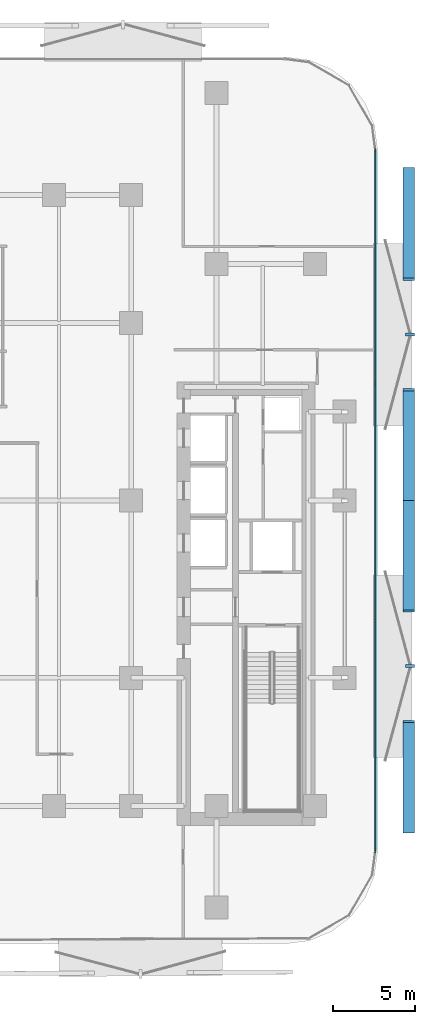
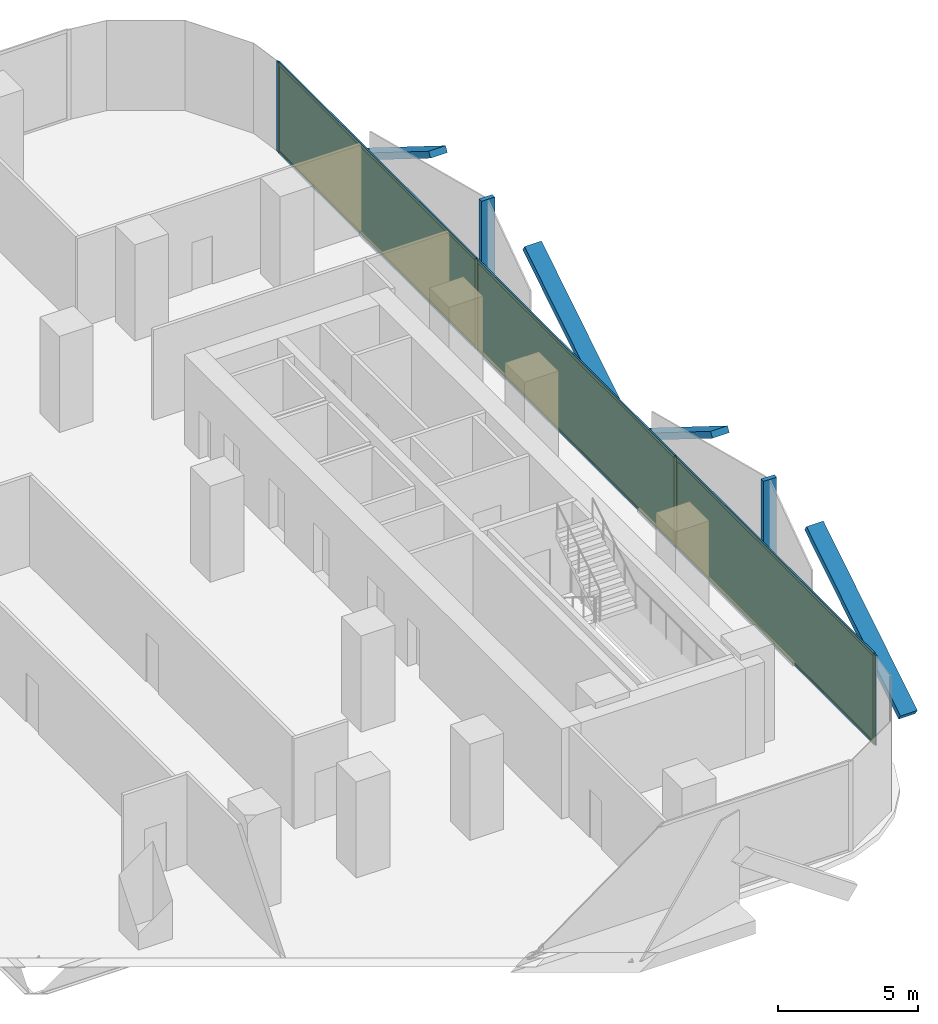
# One storey, part 8 of 14: 16 members, 3 plates, 1 curtain wall.
"""IFC4 building model written with IfcOpenShell, lengths in metres."""

from ifc_helpers import new_model, si_unit, direction, frame, frame_2d, origin, origin_2d, place, context, subcontext, project, spatial, rectangle, extrude, material, layer, layer_set, material_profile, profile_set, type_object, element, aggregate, save


model = new_model("IFC4")

# Units and contexts
model_context = context("Model", 3, precision=1e-05, world=origin(), true_north=direction((0.0, 1.0)))
body_context = subcontext(model_context, "Body", "Model", "MODEL_VIEW")
ifc_project = project(units=[si_unit("LENGTHUNIT", "METRE"), si_unit("AREAUNIT", "SQUARE_METRE"), si_unit("VOLUMEUNIT", "CUBIC_METRE"), si_unit("PLANEANGLEUNIT", "RADIAN"), si_unit("MASSUNIT", "GRAM", prefix="KILO")], contexts=[model_context])

# Member
ifc_material_1 = material(Name="Anodised Bronze Aluminium 6063-T6", Category="aluminium")
ifc_material_profile_1 = material_profile(ifc_material_1, rectangle(XDim=0.260009765625, YDim=0.699951171875, at=origin_2d()))
ifc_profile_set_1 = profile_set([ifc_material_profile_1], Name="Anodised Bronze Aluminium 6063-T6")
member_type_1 = type_object("IfcMemberType", Name="Bronze Diamond Solar-Screen Lattice Rib BDL-700", PredefinedType="MULLION", material=ifc_profile_set_1)
site_placement = place(None, origin())
building_placement = place(site_placement, origin())
storey_placement = place(building_placement, frame((0.0, 0.0, 63.800048828125)))
member_1_placement = place(storey_placement, frame((26.10009765625, 20.19091796875, -0.130126953125), z_axis=(0.0, -0.848357706665, 0.529423461458), x_axis=(0.0, -0.529423461458, -0.848357706665)))
member_1 = element("IfcMember", 1, at=member_1_placement, type_object=member_type_1, Name="L15 Bronze Diamond Solar Screen Lattice Rib 79A", PredefinedType="MULLION", context=body_context, shape_type="SweptSolid", body=[
    extrude(rectangle(XDim=0.260009765625, YDim=0.699951171875, at=origin_2d()), origin(), (0.0, 0.0, 1.0), 7.93359375),
])

member_2_placement = place(storey_placement, frame((26.10009765625, 0.0, -0.130126953125), z_axis=(0.0, 0.84834908091, 0.529437283273), x_axis=(0.0, 0.529437283273, -0.84834908091)))
member_2 = element("IfcMember", 2, at=member_2_placement, type_object=member_type_1, Name="L15 Bronze Diamond Solar Screen Lattice Rib 79B", PredefinedType="MULLION", context=body_context, shape_type="SweptSolid", body=[
    extrude(rectangle(XDim=0.260009765625, YDim=0.699951171875, at=origin_2d()), origin(), (0.0, 0.0, 1.0), 7.933349609375),
])

member_3_placement = place(storey_placement, frame((26.10009765625, 0.0, -0.130126953125), z_axis=(0.0, -0.84834908091, 0.529437283273), x_axis=(0.0, -0.529437283273, -0.84834908091)))
member_3 = element("IfcMember", 3, at=member_3_placement, type_object=member_type_1, Name="L15 Bronze Diamond Solar Screen Lattice Rib 80A", PredefinedType="MULLION", context=body_context, shape_type="SweptSolid", body=[
    extrude(rectangle(XDim=0.260009765625, YDim=0.699951171875, at=origin_2d()), origin(), (0.0, 0.0, 1.0), 7.933349609375),
])

member_4_placement = place(storey_placement, frame((26.10009765625, -20.19091796875, -0.130126953125), z_axis=(0.0, 0.848357706665, 0.529423461458), x_axis=(0.0, 0.529423461458, -0.848357706665)))
member_4 = element("IfcMember", 4, at=member_4_placement, type_object=member_type_1, Name="L15 Bronze Diamond Solar Screen Lattice Rib 80B", PredefinedType="MULLION", context=body_context, shape_type="SweptSolid", body=[
    extrude(rectangle(XDim=0.260009765625, YDim=0.699951171875, at=origin_2d()), origin(), (0.0, 0.0, 1.0), 7.93359375),
])

ifc_material_2 = material(Name="Anodised Bronze Aluminium 6063-T6", Category="aluminium")
ifc_material_profile_2 = material_profile(ifc_material_2, rectangle(XDim=0.179931640625, YDim=0.5400390625, at=origin_2d()))
ifc_profile_set_2 = profile_set([ifc_material_profile_2], Name="Anodised Bronze Aluminium 6063-T6")
member_type_2 = type_object("IfcMemberType", Name="Bronze Solar-Screen Vertical Fold Fin BSF-540", PredefinedType="MULLION", material=ifc_profile_set_2)
member_5_placement = place(storey_placement, frame((26.179931640625, 10.095458984375, -0.130126953125), z_axis=(0.0, 0.0, 1.0), x_axis=(0.0, -1.0, 0.0)))
member_5 = element("IfcMember", 5, at=member_5_placement, type_object=member_type_2, Name="L15 Bronze Solar Screen Vertical Fin 79", PredefinedType="MULLION", context=body_context, shape_type="SweptSolid", body=[
    extrude(rectangle(XDim=0.179931640625, YDim=0.5400390625, at=origin_2d()), origin(), (0.0, 0.0, 1.0), 4.2001953125),
])

member_6_placement = place(storey_placement, frame((26.179931640625, -10.095458984375, -0.130126953125), z_axis=(0.0, 0.0, 1.0), x_axis=(0.0, -1.0, 0.0)))
member_6 = element("IfcMember", 6, at=member_6_placement, type_object=member_type_2, Name="L15 Bronze Solar Screen Vertical Fin 80", PredefinedType="MULLION", context=body_context, shape_type="SweptSolid", body=[
    extrude(rectangle(XDim=0.179931640625, YDim=0.5400390625, at=origin_2d()), origin(), (0.0, 0.0, 1.0), 4.2001953125),
])

ifc_material_3 = material(Name="Anodised Bronze Aluminium 6063-T6", Category="aluminium")
ifc_material_profile_3 = material_profile(ifc_material_3, rectangle(XDim=0.06494140625, YDim=0.179931640625, at=origin_2d()))
ifc_profile_set_3 = profile_set([ifc_material_profile_3], Name="Anodised Bronze Aluminium 6063-T6")
member_type_3 = type_object("IfcMemberType", Name="CW-Z1 Mullion 65x180", PredefinedType="MULLION", material=ifc_profile_set_3)
member_7_placement = place(storey_placement, frame((24.06005859375, 21.3583984375, 0.0), z_axis=(0.0, 0.0, 1.0), x_axis=(1.0, 0.0, 0.0)))
member_7 = element("IfcMember", 7, at=member_7_placement, type_object=member_type_3, Name="CW-Z1 mullion 1", PredefinedType="MULLION", context=body_context, shape_type="SweptSolid", body=[
    extrude(rectangle(XDim=0.06494140625, YDim=0.179931640625, at=origin_2d()), origin(), (0.0, 0.0, 1.0), 3.93994140625),
])

member_8_placement = place(storey_placement, frame((24.06005859375, 7.13037109375, 0.0), z_axis=(0.0, 0.0, 1.0), x_axis=(1.0, 0.0, 0.0)))
member_8 = element("IfcMember", 8, at=member_8_placement, type_object=member_type_3, Name="CW-Z1 mullion 2", PredefinedType="MULLION", context=body_context, shape_type="SweptSolid", body=[
    extrude(rectangle(XDim=0.06494140625, YDim=0.179931640625, at=origin_2d()), origin(), (0.0, 0.0, 1.0), 3.93994140625),
])

member_9_placement = place(storey_placement, frame((24.06005859375, -7.13037109375, 0.0), z_axis=(0.0, 0.0, 1.0), x_axis=(1.0, 0.0, 0.0)))
member_9 = element("IfcMember", 9, at=member_9_placement, type_object=member_type_3, Name="CW-Z1 mullion 3", PredefinedType="MULLION", context=body_context, shape_type="SweptSolid", body=[
    extrude(rectangle(XDim=0.06494140625, YDim=0.179931640625, at=origin_2d()), origin(), (0.0, 0.0, 1.0), 3.93994140625),
])

member_10_placement = place(storey_placement, frame((24.06005859375, -21.3583984375, 0.0), z_axis=(0.0, 0.0, 1.0), x_axis=(1.0, 0.0, 0.0)))
member_10 = element("IfcMember", 10, at=member_10_placement, type_object=member_type_3, Name="CW-Z1 mullion 4", PredefinedType="MULLION", context=body_context, shape_type="SweptSolid", body=[
    extrude(rectangle(XDim=0.06494140625, YDim=0.179931640625, at=origin_2d()), origin(), (0.0, 0.0, 1.0), 3.93994140625),
])

ifc_material_4 = material(Name="Anodised Bronze Aluminium 6063-T6", Category="aluminium")
ifc_material_profile_4 = material_profile(ifc_material_4, rectangle(XDim=0.06494140625, YDim=0.139892578125, at=origin_2d()))
ifc_profile_set_4 = profile_set([ifc_material_profile_4], Name="Anodised Bronze Aluminium 6063-T6")
member_type_4 = type_object("IfcMemberType", Name="CW-Z1 Transom 65x140", PredefinedType="USERDEFINED", material=ifc_profile_set_4)
member_11_placement = place(storey_placement, frame((24.06005859375, 21.32568359375, 0.032470703125), z_axis=(0.0, -1.0, 0.0), x_axis=(1.0, 0.0, 0.0)))
member_11 = element("IfcMember", 11, at=member_11_placement, type_object=member_type_4, Name="CW-Z1 transom 1.1", ObjectType="TRANSOM", PredefinedType="USERDEFINED", context=body_context, shape_type="SweptSolid", body=[
    extrude(rectangle(XDim=0.06494140625, YDim=0.139892578125, at=origin_2d()), origin(), (0.0, 0.0, 1.0), 14.162841796875),
])

member_12_placement = place(storey_placement, frame((24.06005859375, 21.32568359375, 3.907470703125), z_axis=(0.0, -1.0, 0.0), x_axis=(1.0, 0.0, 0.0)))
member_12 = element("IfcMember", 12, at=member_12_placement, type_object=member_type_4, Name="CW-Z1 transom 1.2", ObjectType="TRANSOM", PredefinedType="USERDEFINED", context=body_context, shape_type="SweptSolid", body=[
    extrude(rectangle(XDim=0.06494140625, YDim=0.139892578125, at=origin_2d()), origin(), (0.0, 0.0, 1.0), 14.162841796875),
])

member_13_placement = place(storey_placement, frame((24.06005859375, 7.09765625, 0.032470703125), z_axis=(0.0, -1.0, 0.0), x_axis=(1.0, 0.0, 0.0)))
member_13 = element("IfcMember", 13, at=member_13_placement, type_object=member_type_4, Name="CW-Z1 transom 2.1", ObjectType="TRANSOM", PredefinedType="USERDEFINED", context=body_context, shape_type="SweptSolid", body=[
    extrude(rectangle(XDim=0.06494140625, YDim=0.139892578125, at=origin_2d()), origin(), (0.0, 0.0, 1.0), 14.1953125),
])

member_14_placement = place(storey_placement, frame((24.06005859375, 7.09765625, 3.907470703125), z_axis=(0.0, -1.0, 0.0), x_axis=(1.0, 0.0, 0.0)))
member_14 = element("IfcMember", 14, at=member_14_placement, type_object=member_type_4, Name="CW-Z1 transom 2.2", ObjectType="TRANSOM", PredefinedType="USERDEFINED", context=body_context, shape_type="SweptSolid", body=[
    extrude(rectangle(XDim=0.06494140625, YDim=0.139892578125, at=origin_2d()), origin(), (0.0, 0.0, 1.0), 14.1953125),
])

member_15_placement = place(storey_placement, frame((24.06005859375, -7.162841796875, 0.032470703125), z_axis=(0.0, -1.0, 0.0), x_axis=(1.0, 0.0, 0.0)))
member_15 = element("IfcMember", 15, at=member_15_placement, type_object=member_type_4, Name="CW-Z1 transom 3.1", ObjectType="TRANSOM", PredefinedType="USERDEFINED", context=body_context, shape_type="SweptSolid", body=[
    extrude(rectangle(XDim=0.06494140625, YDim=0.139892578125, at=origin_2d()), origin(), (0.0, 0.0, 1.0), 14.162841796875),
])

member_16_placement = place(storey_placement, frame((24.06005859375, -7.162841796875, 3.907470703125), z_axis=(0.0, -1.0, 0.0), x_axis=(1.0, 0.0, 0.0)))
member_16 = element("IfcMember", 16, at=member_16_placement, type_object=member_type_4, Name="CW-Z1 transom 3.2", ObjectType="TRANSOM", PredefinedType="USERDEFINED", context=body_context, shape_type="SweptSolid", body=[
    extrude(rectangle(XDim=0.06494140625, YDim=0.139892578125, at=origin_2d()), origin(), (0.0, 0.0, 1.0), 14.162841796875),
])

# Plate
ifc_material_5 = material(Name="Low-E Solar Control Laminated Glass", Category="glass")
ifc_layer_1 = layer(ifc_material_5, 0.028076171875, Name="Low-E Solar Control Laminated Glass")
ifc_layer_set_1 = layer_set([ifc_layer_1], Name="Low-E Solar Control Laminated Glass")
plate_type = type_object("IfcPlateType", Name="CW-Z1 Low-E Double Glazed Panel 28mm", PredefinedType="CURTAIN_PANEL", material=ifc_layer_set_1)
plate_1_placement = place(storey_placement, frame((24.06005859375, 14.244384765625, 0.06494140625), z_axis=(0.0, 0.0, 1.0), x_axis=(0.0, -1.0, 0.0)))
plate_1 = element("IfcPlate", 17, at=plate_1_placement, type_object=plate_type, Name="CW-Z1 panel 1.1", PredefinedType="CURTAIN_PANEL", context=body_context, shape_type="SweptSolid", body=[
    extrude(rectangle(XDim=14.1630859375, YDim=0.028076171875, at=origin_2d()), origin(), (0.0, 0.0, 1.0), 3.81005859375),
])

plate_2_placement = place(storey_placement, frame((24.06005859375, 0.0, 0.06494140625), z_axis=(0.0, 0.0, 1.0), x_axis=(0.0, -1.0, 0.0)))
plate_2 = element("IfcPlate", 18, at=plate_2_placement, type_object=plate_type, Name="CW-Z1 panel 2.1", PredefinedType="CURTAIN_PANEL", context=body_context, shape_type="SweptSolid", body=[
    extrude(rectangle(XDim=14.195556640625, YDim=0.028076171875, at=origin_2d()), origin(), (0.0, 0.0, 1.0), 3.81005859375),
])

plate_3_placement = place(storey_placement, frame((24.06005859375, -14.244384765625, 0.06494140625), z_axis=(0.0, 0.0, 1.0), x_axis=(0.0, -1.0, 0.0)))
plate_3 = element("IfcPlate", 19, at=plate_3_placement, type_object=plate_type, Name="CW-Z1 panel 3.1", PredefinedType="CURTAIN_PANEL", context=body_context, shape_type="SweptSolid", body=[
    extrude(rectangle(XDim=14.1630859375, YDim=0.028076171875, at=origin_2d()), origin(), (0.0, 0.0, 1.0), 3.81005859375),
])

# Site, building, storey
site = spatial("IfcSite", under=ifc_project, at=site_placement, CompositionType="ELEMENT")
building = spatial("IfcBuilding", under=site, at=building_placement, Name="Khairoan Windgate Tower", CompositionType="ELEMENT")
storey = spatial("IfcBuildingStorey", under=building, at=storey_placement, Name="L15", CompositionType="ELEMENT", Elevation=63.800048828125)

# Curtain wall
ifc_material_6 = material(Name="Anodised Bronze Aluminium 6063-T6", Category="aluminium")
ifc_layer_2 = layer(ifc_material_6, 0.179931640625, Name="Anodised Bronze Aluminium 6063-T6")
ifc_layer_set_2 = layer_set([ifc_layer_2], Name="Anodised Bronze Aluminium 6063-T6")
curtain_wall_type = type_object("IfcCurtainWallType", Name="Low-Rise Office Unitised Curtain Wall CW-Z1", PredefinedType="NOTDEFINED", material=ifc_layer_set_2)
curtain_wall_placement = place(storey_placement, frame((24.06005859375, 21.390869140625, 0.0), z_axis=(0.0, 0.0, 1.0), x_axis=(0.0, -1.0, 0.0)))
curtain_wall = element("IfcCurtainWall", 20, at=curtain_wall_placement, inside=storey, type_object=curtain_wall_type, Name="L15 Unitised Curtain Wall 16", PredefinedType="NOTDEFINED", context=body_context, shape_type="SweptSolid", body=[
    extrude(rectangle(XDim=42.78173828125, YDim=0.010009765625, at=frame_2d((21.390869140625, 0.0))), origin(), (0.0, 0.0, 1.0), 3.93994140625),
])

aggregate(curtain_wall, [member_7, member_8, member_9, member_10, member_11, member_12, plate_1, member_13, member_14, plate_2, member_15, member_16, plate_3, member_1, member_2, member_5, member_3, member_4, member_6])

save(model, "model.ifc")
